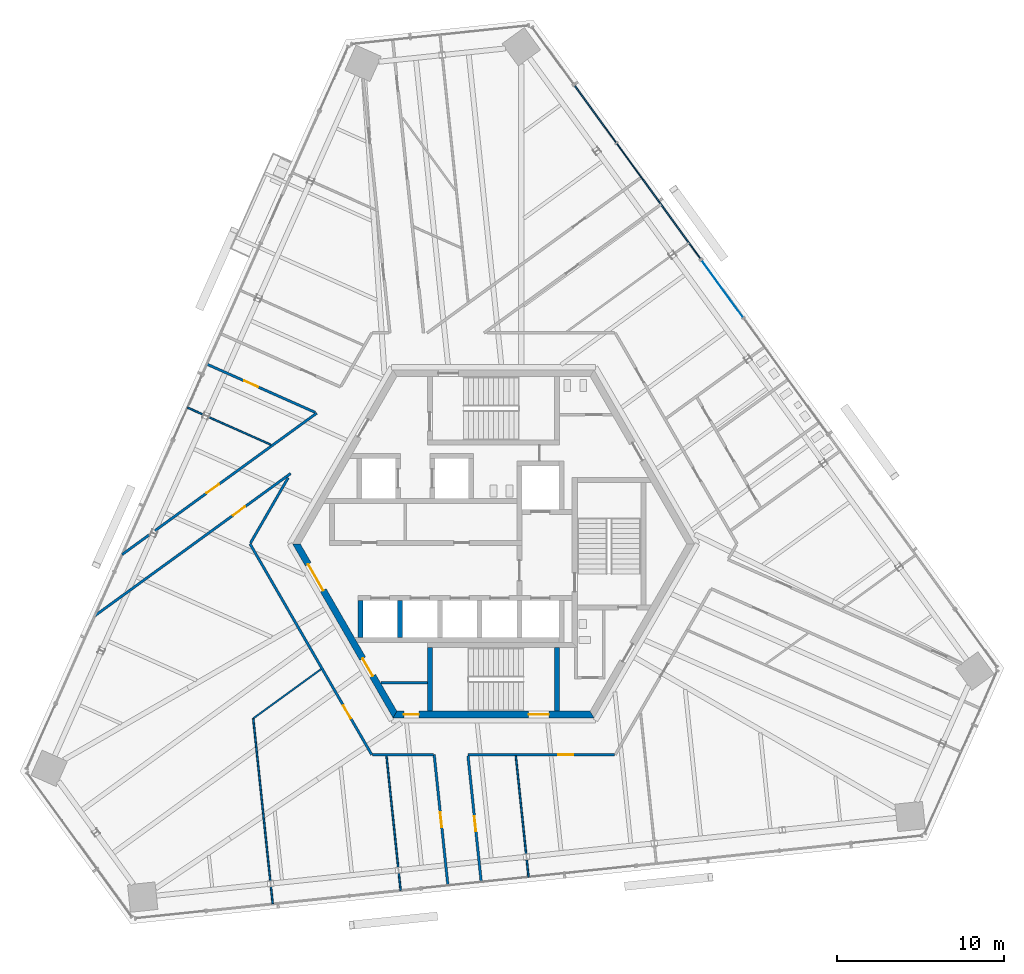
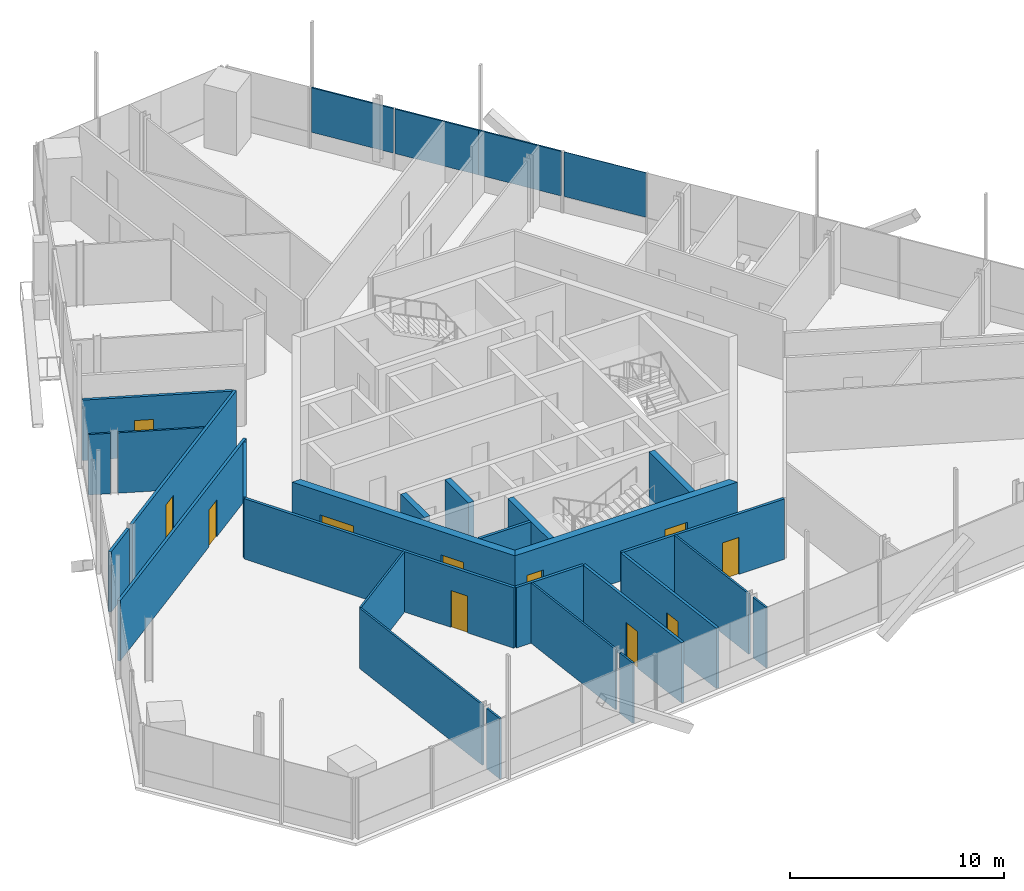
# One storey, part 11 of 21: 26 walls, 11 doors, 4 plates, 11 openings, 2 elements without a shape of their own.
"""IFC4 building model written with IfcOpenShell, lengths in metres."""

import ifcopenshell
import ifcopenshell.guid

model = None  # the IFC model being written
_history = None  # IfcOwnerHistory: only IFC2X3 demands one
_inside = {}  # id of a spatial element -> (the spatial element, [elements in it])
_under = {}  # id of a project, library or spatial element -> (it, [spatial elements below it])
_declared = {}  # id of a project -> (the project, [libraries it declares])
_typed = {}  # id of a type object -> (the type object, [elements of that type])
_made_of = {}  # id of a material, layer set ... -> (it, [elements and type objects made of it])


def new_model(schema):
    """Start an empty IFC model of exactly this schema.

    Asked for "IFC4X3", IfcOpenShell would pick the latest addendum, in which some entities
    have other attributes; the version numbers below select the first issue.
    IFC2X3 requires an IfcOwnerHistory on every rooted entity: one is made here for all.
    """
    global model, _history
    if schema == "IFC4X3":
        model = ifcopenshell.file(schema_version=(4, 3, 0, 0))
    else:
        model = ifcopenshell.file(schema=schema)
    _inside.clear()
    _under.clear()
    _declared.clear()
    _typed.clear()
    _made_of.clear()
    _history = None
    if model.schema == "IFC2X3":
        org = make("IfcOrganization", Name="unknown")
        user = make(
            "IfcPersonAndOrganization",
            ThePerson=make("IfcPerson", FamilyName="unknown"),
            TheOrganization=org,
        )
        app = make(
            "IfcApplication",
            ApplicationDeveloper=org,
            Version="unknown",
            ApplicationFullName="unknown",
            ApplicationIdentifier="unknown",
        )
        _history = make(
            "IfcOwnerHistory",
            OwningUser=user,
            OwningApplication=app,
            ChangeAction="ADDED",
            CreationDate=0,
        )
    return model


def make(cls, **values):
    """One entity of the class cls with the attributes given. An attribute that is None is left unset."""
    return model.create_entity(
        cls, **{name: value for name, value in values.items() if value is not None}
    )


def rooted(cls, **values):
    """An entity with a GlobalId (a new one), such as an element, a storey or a relation."""
    return make(cls, GlobalId=ifcopenshell.guid.new(), OwnerHistory=_history, **values)


def si_unit(unit_type, name, prefix=None):
    """IfcSIUnit, for example si_unit("LENGTHUNIT", "METRE", prefix="MILLI")."""
    return make("IfcSIUnit", UnitType=unit_type, Prefix=prefix, Name=name)


def assignment(units):
    """IfcUnitAssignment: the units of a project."""
    return None if units is None else make("IfcUnitAssignment", Units=units)


def point(xyz):
    """IfcCartesianPoint."""
    return None if xyz is None else make("IfcCartesianPoint", Coordinates=xyz)


def direction(xyz):
    """IfcDirection."""
    return None if xyz is None else make("IfcDirection", DirectionRatios=xyz)


def frame(location, z_axis=None, x_axis=None):
    """IfcAxis2Placement3D, a coordinate frame: its origin and axes. An axis left out is left unset."""
    return make(
        "IfcAxis2Placement3D",
        Location=point(location),
        Axis=direction(z_axis),
        RefDirection=direction(x_axis),
    )


def frame_2d(location, x_axis=None):
    """IfcAxis2Placement2D, a coordinate frame in the plane: its origin and x axis."""
    return make(
        "IfcAxis2Placement2D", Location=point(location), RefDirection=direction(x_axis)
    )


def origin():
    """The frame at (0, 0, 0) with its axes left unset."""
    return frame((0.0, 0.0, 0.0))


def origin_2d():
    """The frame at (0, 0) in the plane with its x axis left unset."""
    return frame_2d((0.0, 0.0))


def place(relative_to, where):
    """IfcLocalPlacement: puts the frame where relative to a parent placement (None: the world)."""
    return make(
        "IfcLocalPlacement", PlacementRelTo=relative_to, RelativePlacement=where
    )


def context(
    kind, dimensions, precision=None, world=None, true_north=None, identifier=None
):
    """IfcGeometricRepresentationContext, for example the 3D "Model" context."""
    return make(
        "IfcGeometricRepresentationContext",
        ContextIdentifier=identifier,
        ContextType=kind,
        CoordinateSpaceDimension=dimensions,
        Precision=precision,
        WorldCoordinateSystem=world,
        TrueNorth=true_north,
    )


def subcontext(parent, identifier, kind, view, scale=None):
    """IfcGeometricRepresentationSubContext, for example "Body" below "Model"."""
    return make(
        "IfcGeometricRepresentationSubContext",
        ContextIdentifier=identifier,
        ContextType=kind,
        ParentContext=parent,
        TargetScale=scale,
        TargetView=view,
    )


def project(units=None, contexts=None):
    """IfcProject with its units and contexts."""
    return rooted(
        "IfcProject",
        Name="project",
        RepresentationContexts=contexts,
        UnitsInContext=assignment(units),
    )


def spatial(cls, under=None, at=None, **own):
    """A site, building, storey or space (cls), placed at a placement, below another one or the project."""
    s = rooted(cls, ObjectPlacement=at, **own)
    if under is not None:
        _under.setdefault(under.id(), (under, []))[1].append(s)
    return s


def polyline(points):
    """IfcPolyline through the points."""
    return make("IfcPolyline", Points=[point(p) for p in points])


def profile(cls, at=None, kind="AREA", **sizes):
    """A parametric profile (cls). Its sizes go by their IFC names, for example OverallWidth=200.0."""
    return make(cls, ProfileType=kind, Position=at, **sizes)


def rectangle(**sizes):
    """IfcRectangleProfileDef."""
    return profile("IfcRectangleProfileDef", **sizes)


def outline(outer, holes=None, kind="AREA"):
    """IfcArbitraryClosedProfileDef: a profile drawn as a closed curve; with holes, ...WithVoids."""
    if holes is None:
        return make("IfcArbitraryClosedProfileDef", ProfileType=kind, OuterCurve=outer)
    return make(
        "IfcArbitraryProfileDefWithVoids",
        ProfileType=kind,
        OuterCurve=outer,
        InnerCurves=holes,
    )


def extrude(swept, where, along, depth):
    """IfcExtrudedAreaSolid: the profile swept, set in the frame where, extruded along a direction by depth."""
    return make(
        "IfcExtrudedAreaSolid",
        SweptArea=swept,
        Position=where,
        ExtrudedDirection=direction(along),
        Depth=depth,
    )


def shape(context_of_items, identifier, shape_type, items):
    """IfcShapeRepresentation: the items that make up one representation, for example the "Body"."""
    return make(
        "IfcShapeRepresentation",
        ContextOfItems=context_of_items,
        RepresentationIdentifier=identifier,
        RepresentationType=shape_type,
        Items=items,
    )


def source(mapping_origin, context_of_items, identifier, shape_type, items):
    """IfcRepresentationMap: a shape defined once, which mapped items show again and again."""
    return make(
        "IfcRepresentationMap",
        MappingOrigin=mapping_origin,
        MappedRepresentation=shape(context_of_items, identifier, shape_type, items),
    )


def transform(
    local_origin,
    x_axis=None,
    y_axis=None,
    z_axis=None,
    scale=None,
    scale2=None,
    scale3=None,
    uniform=True,
):
    """IfcCartesianTransformationOperator3D, or its non-uniform kind. x_axis, y_axis, z_axis: its Axis1, 2, 3."""
    if uniform:
        return make(
            "IfcCartesianTransformationOperator3D",
            Axis1=direction(x_axis),
            Axis2=direction(y_axis),
            LocalOrigin=point(local_origin),
            Scale=scale,
            Axis3=direction(z_axis),
        )
    return make(
        "IfcCartesianTransformationOperator3DnonUniform",
        Axis1=direction(x_axis),
        Axis2=direction(y_axis),
        LocalOrigin=point(local_origin),
        Scale=scale,
        Axis3=direction(z_axis),
        Scale2=scale2,
        Scale3=scale3,
    )


def mapped(mapping_source, mapping_target):
    """IfcMappedItem: shows the shape of a source again, moved by a transform."""
    return make(
        "IfcMappedItem", MappingSource=mapping_source, MappingTarget=mapping_target
    )


def material(Name=None, Category=None):
    """IfcMaterial."""
    return make("IfcMaterial", Name=Name, Category=Category)


def layer(
    of_material, thickness, ventilated=None, Name=None, Category=None, Priority=None
):
    """IfcMaterialLayer: one layer of a wall or slab, of a material (None: an air gap)."""
    return make(
        "IfcMaterialLayer",
        Material=of_material,
        LayerThickness=thickness,
        IsVentilated=ventilated,
        Name=Name,
        Category=Category,
        Priority=Priority,
    )


def layer_set(layers, Name=None):
    """IfcMaterialLayerSet."""
    return make("IfcMaterialLayerSet", MaterialLayers=layers, LayerSetName=Name)


def made_of(thing, what):
    """Note that an element or type object is made of a material, layer set ...; save() writes the relation."""
    if what is not None:
        _made_of.setdefault(what.id(), (what, []))[1].append(thing)
    return thing


def type_object(cls, material=None, **own):
    """A type object (cls), such as IfcWallType, which elements share."""
    return made_of(rooted(cls, **own), material)


def element(
    cls,
    number,
    at=None,
    inside=None,
    cuts=None,
    type_object=None,
    material=None,
    context=None,
    identifier="Body",
    shape_type=None,
    held_by="IfcProductDefinitionShape",
    body=None,
    shapes=None,
    **own,
):
    """One element of the class cls, such as IfcWall. Its Tag is "e" and its number.

    at: its placement. inside: the storey or other place that contains it. cuts: it is an
    opening in that element (IfcRelVoidsElement). A single representation is given by context,
    identifier, shape_type and body (its items); several are given by shapes. held_by: the class
    of the entity that holds the representations. save() writes the other relations.
    """
    e = rooted(cls, Tag="e%d" % number, ObjectPlacement=at, **own)
    if body is not None:
        shapes = [shape(context, identifier, shape_type, body)]
    if shapes is not None:
        e.Representation = make(held_by, Representations=shapes)
    if inside is not None:
        _inside.setdefault(inside.id(), (inside, []))[1].append(e)
    if cuts is not None:
        rooted(
            "IfcRelVoidsElement", RelatingBuildingElement=cuts, RelatedOpeningElement=e
        )
    if type_object is not None:
        _typed.setdefault(type_object.id(), (type_object, []))[1].append(e)
    return made_of(e, material)


def fill(opening, filler):
    """IfcRelFillsElement: the door or window that sits in an opening."""
    return rooted(
        "IfcRelFillsElement",
        RelatingOpeningElement=opening,
        RelatedBuildingElement=filler,
    )


def aggregate(whole, parts):
    """IfcRelAggregates: a whole, such as a stair, and the parts it consists of."""
    return rooted("IfcRelAggregates", RelatingObject=whole, RelatedObjects=parts)


def save(model, path):
    """Write the relations noted so far, then the file.

    IfcRelAggregates (storeys below a building ...), IfcRelContainedInSpatialStructure (elements
    in a storey), IfcRelDefinesByType, IfcRelAssociatesMaterial and IfcRelDeclares: one each for
    every whole, place, type object, material and project.
    """
    for whole, parts in _under.values():
        aggregate(whole, parts)
    for where, things in _inside.values():
        rooted(
            "IfcRelContainedInSpatialStructure",
            RelatedElements=things,
            RelatingStructure=where,
        )
    for kind, things in _typed.values():
        rooted("IfcRelDefinesByType", RelatedObjects=things, RelatingType=kind)
    for what, things in _made_of.values():
        rooted("IfcRelAssociatesMaterial", RelatedObjects=things, RelatingMaterial=what)
    for by, libraries in _declared.values():
        rooted("IfcRelDeclares", RelatingContext=by, RelatedDefinitions=libraries)
    model.write(path)


model = new_model("IFC4")

# Units and contexts
model_context = context("Model", 3, precision=1e-05, world=origin(), true_north=direction((0.0, 1.0)))
body_context = subcontext(model_context, "Body", "Model", "MODEL_VIEW")
ifc_project = project(units=[si_unit("LENGTHUNIT", "METRE"), si_unit("AREAUNIT", "SQUARE_METRE"), si_unit("VOLUMEUNIT", "CUBIC_METRE"), si_unit("PLANEANGLEUNIT", "RADIAN"), si_unit("MASSUNIT", "GRAM", prefix="KILO")], contexts=[model_context])

# Site, building, storey
site_placement = place(None, origin())
site = spatial("IfcSite", under=ifc_project, at=site_placement, CompositionType="ELEMENT")
building_placement = place(site_placement, origin())
building = spatial("IfcBuilding", under=site, at=building_placement, Name="Triune Harvest Tower", CompositionType="ELEMENT")
storey_placement = place(building_placement, frame((0.0, 0.0, 241.300048828125)))
storey = spatial("IfcBuildingStorey", under=building, at=storey_placement, Name="L63", CompositionType="ELEMENT", Elevation=241.300048828125)

# Curtain wall, plates
ifc_material_1 = material(Name="Aluminium bronze anodised", Category="aluminium")
curtain_wall_type_1 = type_object("IfcCurtainWallType", Name="CW-7 Tower stick curtain wall with insulated spandrel infill", PredefinedType="NOTDEFINED", material=ifc_material_1)
curtain_wall_1_placement = place(storey_placement, origin())
curtain_wall_1 = element("IfcCurtainWall", 1, at=curtain_wall_1_placement, inside=storey, type_object=curtain_wall_type_1, Name="CW-7 B6-F1 L63 run 3001")
ifc_material_2 = material(Name="Insulated spandrel panel, bronze aluminium pan", Category="aluminium")
ifc_layer_1 = layer(ifc_material_2, 0.080078125)
ifc_layer_set_1 = layer_set([ifc_layer_1], Name="Insulated spandrel panel, bronze aluminium pan")
plate_type_1 = type_object("IfcPlateType", Name="SP-1 insulated spandrel panel 80", PredefinedType="CURTAIN_PANEL", material=ifc_layer_set_1)
shared_shape_1 = source(origin(), body_context, "Body", "SweptSolid", [
    extrude(rectangle(XDim=4.22509765625, YDim=0.080078125, at=origin_2d()), origin(), (0.0, 0.0, 1.0), 2.5400390625),
])
plate_1_placement = place(storey_placement, frame((11.106201171875, 18.74560546875, 0.89990234375), z_axis=(0.0, 0.0, 1.0), x_axis=(-0.587785838852, 0.809016568214, 0.0)))
plate_1 = element("IfcPlate", 2, at=plate_1_placement, type_object=plate_type_1, Name="CW-7 panel B6-F1 3001.1", PredefinedType="CURTAIN_PANEL", context=body_context, shape_type="MappedRepresentation", body=[
    mapped(shared_shape_1, transform((0.0, 0.0, 0.0), scale=1.0)),
])
shared_shape_2 = source(origin(), body_context, "Body", "SweptSolid", [
    extrude(rectangle(XDim=4.262451171875, YDim=0.080078125, at=origin_2d()), origin(), (0.0, 0.0, 1.0), 2.5400390625),
])
plate_2_placement = place(storey_placement, frame((8.61181640625, 22.178955078125, 0.89990234375), z_axis=(0.0, 0.0, 1.0), x_axis=(-0.587785838852, 0.809016568214, 0.0)))
plate_2 = element("IfcPlate", 3, at=plate_2_placement, type_object=plate_type_1, Name="CW-7 panel B6-F1 3001.2", PredefinedType="CURTAIN_PANEL", context=body_context, shape_type="MappedRepresentation", body=[
    mapped(shared_shape_2, transform((0.0, 0.0, 0.0), scale=1.0)),
])

# Curtain wall, plate
ifc_material_3 = material(Name="Aluminium bronze anodised", Category="aluminium")
curtain_wall_type_2 = type_object("IfcCurtainWallType", Name="CW-1 Tower stick curtain wall", PredefinedType="NOTDEFINED", material=ifc_material_3)
curtain_wall_2_placement = place(storey_placement, origin())
curtain_wall_2 = element("IfcCurtainWall", 4, at=curtain_wall_2_placement, inside=storey, type_object=curtain_wall_type_2, Name="CW-1 B6-F1 L63 run 2001")
ifc_material_4 = material(Name="Glass", Category="glass")
ifc_layer_2 = layer(ifc_material_4, 0.031982421875)
ifc_layer_set_2 = layer_set([ifc_layer_2], Name="Glass")
plate_type_2 = type_object("IfcPlateType", Name="GL-1 panel 32", PredefinedType="CURTAIN_PANEL", material=ifc_layer_set_2)
shared_shape_3 = source(origin(), body_context, "Body", "SweptSolid", [
    extrude(rectangle(XDim=4.1875, YDim=0.031982421875, at=origin_2d()), origin(), (0.0, 0.0, 1.0), 2.5400390625),
])
plate_3_placement = place(storey_placement, frame((13.666748046875, 15.221435546875, 0.89990234375), z_axis=(0.0, 0.0, 1.0), x_axis=(-0.587784451405, 0.809017576253, 0.0)))
plate_3 = element("IfcPlate", 5, at=plate_3_placement, type_object=plate_type_2, Name="CW-1 panel B6-F1 2001.3", PredefinedType="CURTAIN_PANEL", context=body_context, shape_type="MappedRepresentation", body=[
    mapped(shared_shape_3, transform((0.0, 0.0, 0.0), scale=1.0)),
])
aggregate(curtain_wall_2, [plate_3])

# Plate
shared_shape_4 = source(origin(), body_context, "Body", "SweptSolid", [
    extrude(rectangle(XDim=4.1875, YDim=0.080078125, at=origin_2d()), origin(), (0.0, 0.0, 1.0), 2.5400390625),
])
plate_4_placement = place(storey_placement, frame((6.084228515625, 25.65771484375, 0.89990234375), z_axis=(0.0, 0.0, 1.0), x_axis=(-0.587785838852, 0.809016568214, 0.0)))
plate_4 = element("IfcPlate", 6, at=plate_4_placement, type_object=plate_type_1, Name="CW-7 panel B6-F1 3001.3", PredefinedType="CURTAIN_PANEL", context=body_context, shape_type="MappedRepresentation", body=[
    mapped(shared_shape_4, transform((0.0, 0.0, 0.0), scale=1.0)),
])

aggregate(curtain_wall_1, [plate_1, plate_2, plate_4])

# Wall, opening, door
ifc_material_5 = material(Name="Gypsum board on steel studs", Category="steel")
ifc_layer_3 = layer(ifc_material_5, 0.14990234375)
ifc_layer_set_3 = layer_set([ifc_layer_3], Name="Gypsum board on steel studs")
wall_type_1 = type_object("IfcWallType", Name="Fire Partition 150 mm", PredefinedType="PARTITIONING", material=ifc_layer_set_3)
wall_1_placement = place(storey_placement, frame((-1.525634765625, -12.652099609375, 0.0), z_axis=(0.0, 0.0, 1.0), x_axis=(0.104515447548, -0.994523263289, 0.0)))
wall_1 = element("IfcWall", 7, at=wall_1_placement, inside=storey, type_object=wall_type_1, Name="Partition L63 008", PredefinedType="PARTITIONING", context=body_context, shape_type="SweptSolid", body=[
    extrude(rectangle(XDim=7.580078125, YDim=0.14990234375, at=frame_2d((3.7900390625, 0.0))), origin(), (0.0, 0.0, 1.0), 3.43994140625),
])
opening_1_placement = place(wall_1_placement, frame((3.63037109375, 0.0, 0.0)))
opening_1 = element("IfcOpeningElement", 8, at=opening_1_placement, cuts=wall_1, Name="Opening L63-022", PredefinedType="OPENING", context=body_context, shape_type="SweptSolid", body=[
    extrude(rectangle(XDim=0.89990234375, YDim=2.10009765625, at=frame_2d((0.449951171875, 1.050048828125))), frame((0.0, 0.0849609375, 0.0), z_axis=(0.0, -1.0, 0.0), x_axis=(1.0, 0.0, 0.0)), (0.0, 0.0, 1.0), 0.169921875),
])
ifc_material_6 = material(Name="Timber and steel door set", Category="steel")
door_type_1 = type_object("IfcDoorType", Name="Single leaf door FD30 right hand 900 x 2100", OperationType="SINGLE_SWING_RIGHT", PredefinedType="DOOR", material=ifc_material_6)
door_1_placement = place(opening_1_placement, origin())
door_1 = element("IfcDoor", 9, at=door_1_placement, inside=storey, type_object=door_type_1, Name="Door L63-022 Meeting Room 63.22", OperationType="SINGLE_SWING_RIGHT", OverallHeight=2.10009765625, OverallWidth=0.89990234375, PredefinedType="DOOR", context=body_context, shape_type="SweptSolid", body=[
    extrude(rectangle(XDim=0.89990234375, YDim=2.10009765625, at=frame_2d((0.449951171875, 1.050048828125))), frame((0.0, 0.02490234375, 0.0), z_axis=(0.0, -1.0, 0.0), x_axis=(1.0, 0.0, 0.0)), (0.0, 0.0, 1.0), 0.050048828125),
])
fill(opening_1, door_1)

wall_2_placement = place(storey_placement, frame((-17.118896484375, 10.73046875, 0.0), z_axis=(0.0, 0.0, 1.0), x_axis=(0.913533931173, -0.406762530964, 0.0)))
wall_2 = element("IfcWall", 10, at=wall_2_placement, inside=storey, type_object=wall_type_1, Name="Partition L63 023", PredefinedType="PARTITIONING", context=body_context, shape_type="SweptSolid", body=[
    extrude(rectangle(XDim=7.076904296875, YDim=0.14990234375, at=frame_2d((3.53857421875, 0.0))), origin(), (0.0, 0.0, 1.0), 3.43994140625),
])
opening_2_placement = place(wall_2_placement, frame((2.449951171875, 0.0, 0.0)))
opening_2 = element("IfcOpeningElement", 11, at=opening_2_placement, cuts=wall_2, Name="Opening L63-016", PredefinedType="OPENING", context=body_context, shape_type="SweptSolid", body=[
    extrude(rectangle(XDim=0.89990234375, YDim=2.10009765625, at=frame_2d((0.449951171875, 1.050048828125))), frame((0.0, 0.0849609375, 0.0), z_axis=(0.0, -1.0, 0.0), x_axis=(1.0, 0.0, 0.0)), (0.0, 0.0, 1.0), 0.169921875),
])
door_2_placement = place(opening_2_placement, origin())
door_2 = element("IfcDoor", 12, at=door_2_placement, inside=storey, type_object=door_type_1, Name="Door L63-016 Meeting Room 63.16", OperationType="SINGLE_SWING_RIGHT", OverallHeight=2.10009765625, OverallWidth=0.89990234375, PredefinedType="DOOR", context=body_context, shape_type="SweptSolid", body=[
    extrude(rectangle(XDim=0.89990234375, YDim=2.10009765625, at=frame_2d((0.449951171875, 1.050048828125))), frame((0.0, 0.02490234375, 0.0), z_axis=(0.0, -1.0, 0.0), x_axis=(1.0, 0.0, 0.0)), (0.0, 0.0, 1.0), 0.050048828125),
])
fill(opening_2, door_2)

# Wall
wall_3_placement = place(storey_placement, frame((-7.22021484375, -12.59228515625, 0.0), z_axis=(0.0, 0.0, 1.0), x_axis=(1.0, 0.0, 0.0)))
element("IfcWall", 13, at=wall_3_placement, inside=storey, type_object=wall_type_1, Name="Partition L63 032", PredefinedType="PARTITIONING", context=body_context, shape_type="SweptSolid", body=[
    extrude(rectangle(XDim=3.627197265625, YDim=0.14990234375, at=frame_2d((1.8134765625, 0.0))), origin(), (0.0, 0.0, 1.0), 3.43994140625),
])

# Wall, opening, door
wall_4_placement = place(storey_placement, frame((-1.531982421875, -12.59228515625, 0.0), z_axis=(0.0, 0.0, 1.0), x_axis=(1.0, 0.0, 0.0)))
wall_4 = element("IfcWall", 14, at=wall_4_placement, inside=storey, type_object=wall_type_1, Name="Partition L63 033", PredefinedType="PARTITIONING", context=body_context, shape_type="SweptSolid", body=[
    extrude(rectangle(XDim=8.752197265625, YDim=0.14990234375, at=frame_2d((4.3759765625, 0.0))), origin(), (0.0, 0.0, 1.0), 3.43994140625),
])
opening_3_placement = place(wall_4_placement, frame((5.405517578125, 0.0, 0.0)))
opening_3 = element("IfcOpeningElement", 15, at=opening_3_placement, cuts=wall_4, Name="Opening L63-023", PredefinedType="OPENING", context=body_context, shape_type="SweptSolid", body=[
    extrude(rectangle(XDim=0.89990234375, YDim=2.10009765625, at=frame_2d((0.449951171875, 1.050048828125))), frame((0.0, 0.0849609375, 0.0), z_axis=(0.0, -1.0, 0.0), x_axis=(1.0, 0.0, 0.0)), (0.0, 0.0, 1.0), 0.169921875),
])
ifc_material_7 = material(Name="Timber and steel door set", Category="steel")
door_type_2 = type_object("IfcDoorType", Name="Single leaf door FD30 left hand 900 x 2100", OperationType="SINGLE_SWING_LEFT", PredefinedType="DOOR", material=ifc_material_7)
door_3_placement = place(opening_3_placement, origin())
door_3 = element("IfcDoor", 16, at=door_3_placement, inside=storey, type_object=door_type_2, Name="Door L63-023 Project Room 63.23", OperationType="SINGLE_SWING_LEFT", OverallHeight=2.10009765625, OverallWidth=0.89990234375, PredefinedType="DOOR", context=body_context, shape_type="SweptSolid", body=[
    extrude(rectangle(XDim=0.89990234375, YDim=2.10009765625, at=frame_2d((0.449951171875, 1.050048828125))), frame((0.0, 0.02490234375, 0.0), z_axis=(0.0, -1.0, 0.0), x_axis=(1.0, 0.0, 0.0)), (0.0, 0.0, 1.0), 0.050048828125),
])
fill(opening_3, door_3)

wall_5_placement = place(storey_placement, frame((-23.809326171875, -4.2958984375, 0.0), z_axis=(0.0, 0.0, 1.0), x_axis=(0.809024496195, 0.587774926784, 0.0)))
wall_5 = element("IfcWall", 17, at=wall_5_placement, inside=storey, type_object=wall_type_1, Name="Partition L63 048", PredefinedType="PARTITIONING", context=body_context, shape_type="SweptSolid", body=[
    extrude(rectangle(XDim=14.454345703125, YDim=0.14990234375, at=frame_2d((7.22705078125, 0.0))), origin(), (0.0, 0.0, 1.0), 3.43994140625),
])
opening_4_placement = place(wall_5_placement, frame((10.196533203125, 0.0, 0.0)))
opening_4 = element("IfcOpeningElement", 18, at=opening_4_placement, cuts=wall_5, Name="Opening L63-018", PredefinedType="OPENING", context=body_context, shape_type="SweptSolid", body=[
    extrude(rectangle(XDim=0.89990234375, YDim=2.10009765625, at=frame_2d((0.449951171875, 1.050048828125))), frame((0.0, 0.0849609375, 0.0), z_axis=(0.0, -1.0, 0.0), x_axis=(1.0, 0.0, 0.0)), (0.0, 0.0, 1.0), 0.169921875),
])
door_4_placement = place(opening_4_placement, origin())
door_4 = element("IfcDoor", 19, at=door_4_placement, inside=storey, type_object=door_type_2, Name="Door L63-018 Open Office 63.18", OperationType="SINGLE_SWING_LEFT", OverallHeight=2.10009765625, OverallWidth=0.89990234375, PredefinedType="DOOR", context=body_context, shape_type="SweptSolid", body=[
    extrude(rectangle(XDim=0.89990234375, YDim=2.10009765625, at=frame_2d((0.449951171875, 1.050048828125))), frame((0.0, 0.02490234375, 0.0), z_axis=(0.0, -1.0, 0.0), x_axis=(1.0, 0.0, 0.0)), (0.0, 0.0, 1.0), 0.050048828125),
])
fill(opening_4, door_4)

# Wall
wall_6_placement = place(storey_placement, frame((-22.182373046875, -0.641845703125, 0.0), z_axis=(0.0, 0.0, 1.0), x_axis=(0.809023161405, 0.58777676401, 0.0)))
element("IfcWall", 20, at=wall_6_placement, inside=storey, type_object=wall_type_1, Name="Partition L63 050", PredefinedType="PARTITIONING", context=body_context, shape_type="SweptSolid", body=[
    extrude(rectangle(XDim=2.095458984375, YDim=0.14990234375, at=frame_2d((1.0478515625, 0.0))), origin(), (0.0, 0.0, 1.0), 3.43994140625),
])

# Wall, opening, door
wall_7_placement = place(storey_placement, frame((-20.21728515625, 0.785888671875, 0.0), z_axis=(0.0, 0.0, 1.0), x_axis=(0.809014398273, 0.587788825504, 0.0)))
wall_7 = element("IfcWall", 21, at=wall_7_placement, inside=storey, type_object=wall_type_1, Name="Partition L63 051", PredefinedType="PARTITIONING", context=body_context, shape_type="SweptSolid", body=[
    extrude(rectangle(XDim=11.945068359375, YDim=0.14990234375, at=frame_2d((5.97265625, 0.0))), origin(), (0.0, 0.0, 1.0), 3.43994140625),
])
opening_5_placement = place(wall_7_placement, frame((3.81640625, 0.0, 0.0)))
opening_5 = element("IfcOpeningElement", 22, at=opening_5_placement, cuts=wall_7, Name="Opening L63-019", PredefinedType="OPENING", context=body_context, shape_type="SweptSolid", body=[
    extrude(rectangle(XDim=0.89990234375, YDim=2.10009765625, at=frame_2d((0.449951171875, 1.050048828125))), frame((0.0, 0.0849609375, 0.0), z_axis=(0.0, -1.0, 0.0), x_axis=(1.0, 0.0, 0.0)), (0.0, 0.0, 1.0), 0.169921875),
])
door_5_placement = place(opening_5_placement, origin())
door_5 = element("IfcDoor", 23, at=door_5_placement, inside=storey, type_object=door_type_2, Name="Door L63-019 Dry Store Room 63.19", OperationType="SINGLE_SWING_LEFT", OverallHeight=2.10009765625, OverallWidth=0.89990234375, PredefinedType="DOOR", context=body_context, shape_type="SweptSolid", body=[
    extrude(rectangle(XDim=0.89990234375, YDim=2.10009765625, at=frame_2d((0.449951171875, 1.050048828125))), frame((0.0, 0.02490234375, 0.0), z_axis=(0.0, -1.0, 0.0), x_axis=(1.0, 0.0, 0.0)), (0.0, 0.0, 1.0), 0.050048828125),
])
fill(opening_5, door_5)

# Walls
wall_8_placement = place(storey_placement, frame((-14.51513671875, 0.04296875, 0.0), z_axis=(0.0, 0.0, 1.0), x_axis=(0.499972939495, 0.866041026611, 0.0)))
element("IfcWall", 24, at=wall_8_placement, inside=storey, type_object=wall_type_1, Name="Partition L63 055", PredefinedType="PARTITIONING", context=body_context, shape_type="SweptSolid", body=[
    extrude(rectangle(XDim=4.499755859375, YDim=0.14990234375, at=frame_2d((2.25, 0.0))), origin(), (0.0, 0.0, 1.0), 3.43994140625),
])
ifc_material_8 = material(Name="Gypsum board on steel studs", Category="steel")
ifc_layer_4 = layer(ifc_material_8, 0.10009765625)
ifc_layer_set_4 = layer_set([ifc_layer_4], Name="Gypsum board on steel studs")
wall_type_2 = type_object("IfcWallType", Name="Partition 100 mm", PredefinedType="PARTITIONING", material=ifc_layer_set_4)
wall_9_placement = place(storey_placement, frame((1.330078125, -12.652099609375, 0.0), z_axis=(0.0, 0.0, 1.0), x_axis=(0.104514565854, -0.994523355947, 0.0)))
element("IfcWall", 25, at=wall_9_placement, inside=storey, type_object=wall_type_2, Name="Partition L63 011", PredefinedType="PARTITIONING", context=body_context, shape_type="SweptSolid", body=[
    extrude(rectangle(XDim=5.898193359375, YDim=0.10009765625, at=frame_2d((2.94921875, 0.0))), origin(), (0.0, 0.0, 1.0), 3.43994140625),
])
wall_10_placement = place(storey_placement, frame((-17.01025390625, 7.57373046875, 0.0), z_axis=(0.0, 0.0, 1.0), x_axis=(0.913544489931, -0.406738816585, 0.0)))
element("IfcWall", 26, at=wall_10_placement, inside=storey, type_object=wall_type_2, Name="Partition L63 020", PredefinedType="PARTITIONING", context=body_context, shape_type="SweptSolid", body=[
    extrude(rectangle(XDim=4.074462890625, YDim=0.10009765625, at=frame_2d((2.037109375, 0.0))), origin(), (0.0, 0.0, 1.0), 3.43994140625),
])
wall_11_placement = place(storey_placement, frame((-14.33154296875, -10.41259765625, 0.0), z_axis=(0.0, 0.0, 1.0), x_axis=(0.809025659279, 0.587773325891, 0.0)))
element("IfcWall", 27, at=wall_11_placement, inside=storey, type_object=wall_type_2, Name="Partition L63 043", PredefinedType="PARTITIONING", context=body_context, shape_type="SweptSolid", body=[
    extrude(rectangle(XDim=4.9931640625, YDim=0.10009765625, at=frame_2d((2.49658203125, 0.0))), origin(), (0.0, 0.0, 1.0), 3.43994140625),
])

# Wall, openings, doors
ifc_material_9 = material(Name="Concrete 70 MPa", Category="concrete")
ifc_layer_5 = layer(ifc_material_9, 0.39990234375)
ifc_layer_set_5 = layer_set([ifc_layer_5], Name="Concrete 70 MPa")
wall_type_3 = type_object("IfcWallType", Name="Core wall 400", PredefinedType="SHEAR", material=ifc_layer_set_5)
shared_shape_5 = source(origin(), body_context, "Body", "SweptSolid", [
    extrude(outline(polyline([(-0.115478515625, -0.199951171875), (11.884521484375, -0.199951171875), (11.653564453125, 0.199951171875), (0.115478515625, 0.199951171875), (-0.115478515625, -0.199951171875)])), origin(), (0.0, 0.0, 1.0), 3.43994140625),
])
wall_12_placement = place(storey_placement, frame((-11.76904296875, 0.0, 0.0), z_axis=(0.0, 0.0, 1.0), x_axis=(0.499996592174, -0.866027371285, 0.0)))
wall_12 = element("IfcWall", 28, at=wall_12_placement, inside=storey, type_object=wall_type_3, Name="Hexagon 3 wall", PredefinedType="SHEAR", context=body_context, shape_type="MappedRepresentation", body=[
    mapped(shared_shape_5, transform((0.0, 0.0, 0.0), scale=1.0)),
])
opening_6_placement = place(wall_12_placement, frame((1.404541015625, 0.0, 0.0)))
opening_6 = element("IfcOpeningElement", 29, at=opening_6_placement, cuts=wall_12, Name="Opening CD-LS", PredefinedType="OPENING", context=body_context, shape_type="SweptSolid", body=[
    extrude(rectangle(XDim=1.800048828125, YDim=2.10009765625, at=frame_2d((0.89990234375, 1.050048828125))), frame((0.0, 0.2099609375, 0.0), z_axis=(0.0, -1.0, 0.0), x_axis=(1.0, 0.0, 0.0)), (0.0, 0.0, 1.0), 0.419921875),
])
opening_7_placement = place(wall_12_placement, frame((7.91455078125, 0.0, 0.0)))
opening_7 = element("IfcOpeningElement", 30, at=opening_7_placement, cuts=wall_12, Name="Opening CD-SWP", PredefinedType="OPENING", context=body_context, shape_type="SweptSolid", body=[
    extrude(rectangle(XDim=1.199951171875, YDim=2.10009765625, at=frame_2d((0.60009765625, 1.050048828125))), frame((0.0, 0.2099609375, 0.0), z_axis=(0.0, -1.0, 0.0), x_axis=(1.0, 0.0, 0.0)), (0.0, 0.0, 1.0), 0.419921875),
])
ifc_material_10 = material(Name="Steel S235", Category="steel")
door_type_3 = type_object("IfcDoorType", Name="Lobby door 1800 FD120", OperationType="DOUBLE_DOOR_DOUBLE_SWING", PredefinedType="DOOR", material=ifc_material_10)
door_6_placement = place(opening_6_placement, frame((1.800048828125, 0.0, 0.0), z_axis=(0.0, 0.0, 1.0), x_axis=(-1.0, 0.0, 0.0)))
door_6 = element("IfcDoor", 31, at=door_6_placement, inside=storey, type_object=door_type_3, Name="Door CD-LS", OperationType="DOUBLE_DOOR_DOUBLE_SWING", OverallHeight=2.10009765625, OverallWidth=1.800048828125, PredefinedType="DOOR", context=body_context, shape_type="SweptSolid", body=[
    extrude(rectangle(XDim=1.800048828125, YDim=2.10009765625, at=frame_2d((0.89990234375, 1.050048828125))), frame((0.0, 0.02490234375, 0.0), z_axis=(0.0, -1.0, 0.0), x_axis=(1.0, 0.0, 0.0)), (0.0, 0.0, 1.0), 0.050048828125),
])
fill(opening_6, door_6)
ifc_material_11 = material(Name="Steel S235", Category="steel")
door_type_4 = type_object("IfcDoorType", Name="Service door 1200 FD120", OperationType="SINGLE_SWING_LEFT", PredefinedType="DOOR", material=ifc_material_11)
door_7_placement = place(opening_7_placement, frame((1.199951171875, 0.0, 0.0), z_axis=(0.0, 0.0, 1.0), x_axis=(-1.0, 0.0, 0.0)))
door_7 = element("IfcDoor", 32, at=door_7_placement, inside=storey, type_object=door_type_4, Name="Door CD-SWP", OperationType="SINGLE_SWING_RIGHT", OverallHeight=2.10009765625, OverallWidth=1.199951171875, PredefinedType="DOOR", context=body_context, shape_type="SweptSolid", body=[
    extrude(rectangle(XDim=1.199951171875, YDim=2.10009765625, at=frame_2d((0.60009765625, 1.050048828125))), frame((0.0, 0.02490234375, 0.0), z_axis=(0.0, -1.0, 0.0), x_axis=(1.0, 0.0, 0.0)), (0.0, 0.0, 1.0), 0.050048828125),
])
fill(opening_7, door_7)

wall_13_placement = place(storey_placement, frame((-5.884521484375, -10.1923828125, 0.0), z_axis=(0.0, 0.0, 1.0), x_axis=(1.0, 0.0, 0.0)))
wall_13 = element("IfcWall", 33, at=wall_13_placement, inside=storey, type_object=wall_type_3, Name="Hexagon 4 wall", PredefinedType="SHEAR", context=body_context, shape_type="MappedRepresentation", body=[
    mapped(shared_shape_5, transform((0.0, 0.0, 0.0), scale=1.0)),
])
opening_8_placement = place(wall_13_placement, frame((7.984619140625, 0.0, 0.0)))
opening_8 = element("IfcOpeningElement", 34, at=opening_8_placement, cuts=wall_13, Name="Opening CD-S2P", PredefinedType="OPENING", context=body_context, shape_type="SweptSolid", body=[
    extrude(rectangle(XDim=1.199951171875, YDim=2.10009765625, at=frame_2d((0.60009765625, 1.050048828125))), frame((0.0, 0.2099609375, 0.0), z_axis=(0.0, -1.0, 0.0), x_axis=(1.0, 0.0, 0.0)), (0.0, 0.0, 1.0), 0.419921875),
])
opening_9_placement = place(wall_13_placement, frame((0.534423828125, 0.0, 0.0)))
opening_9 = element("IfcOpeningElement", 35, at=opening_9_placement, cuts=wall_13, Name="Opening CD-SWS", PredefinedType="OPENING", context=body_context, shape_type="SweptSolid", body=[
    extrude(rectangle(XDim=0.89990234375, YDim=2.10009765625, at=frame_2d((0.449951171875, 1.050048828125))), frame((0.0, 0.2099609375, 0.0), z_axis=(0.0, -1.0, 0.0), x_axis=(1.0, 0.0, 0.0)), (0.0, 0.0, 1.0), 0.419921875),
])
ifc_material_12 = material(Name="Steel S235", Category="steel")
door_type_5 = type_object("IfcDoorType", Name="Riser door 900 FD120", OperationType="SINGLE_SWING_LEFT", PredefinedType="DOOR", material=ifc_material_12)
door_8_placement = place(opening_9_placement, frame((0.89990234375, 0.0, 0.0), z_axis=(0.0, 0.0, 1.0), x_axis=(-1.0, 0.0, 0.0)))
door_8 = element("IfcDoor", 36, at=door_8_placement, inside=storey, type_object=door_type_5, Name="Door CD-SWS", OperationType="SINGLE_SWING_RIGHT", OverallHeight=2.10009765625, OverallWidth=0.89990234375, PredefinedType="DOOR", context=body_context, shape_type="SweptSolid", body=[
    extrude(rectangle(XDim=0.89990234375, YDim=2.10009765625, at=frame_2d((0.449951171875, 1.050048828125))), frame((0.0, 0.02490234375, 0.0), z_axis=(0.0, -1.0, 0.0), x_axis=(1.0, 0.0, 0.0)), (0.0, 0.0, 1.0), 0.050048828125),
])
fill(opening_9, door_8)
ifc_material_13 = material(Name="Steel S235", Category="steel")
door_type_6 = type_object("IfcDoorType", Name="Stair door 1200 FD120", OperationType="SINGLE_SWING_LEFT", PredefinedType="DOOR", material=ifc_material_13)
door_9_placement = place(opening_8_placement, frame((1.199951171875, 0.0, 0.0), z_axis=(0.0, 0.0, 1.0), x_axis=(-1.0, 0.0, 0.0)))
door_9 = element("IfcDoor", 37, at=door_9_placement, inside=storey, type_object=door_type_6, Name="Door CD-S2P", OperationType="SINGLE_SWING_RIGHT", OverallHeight=2.10009765625, OverallWidth=1.199951171875, PredefinedType="DOOR", context=body_context, shape_type="SweptSolid", body=[
    extrude(rectangle(XDim=1.199951171875, YDim=2.10009765625, at=frame_2d((0.60009765625, 1.050048828125))), frame((0.0, 0.02490234375, 0.0), z_axis=(0.0, -1.0, 0.0), x_axis=(1.0, 0.0, 0.0)), (0.0, 0.0, 1.0), 0.050048828125),
])
fill(opening_8, door_9)

# Walls
ifc_material_14 = material(Name="Concrete 70 MPa", Category="concrete")
ifc_layer_6 = layer(ifc_material_14, 0.300048828125)
ifc_layer_set_6 = layer_set([ifc_layer_6], Name="Concrete 70 MPa")
wall_type_4 = type_object("IfcWallType", Name="Core wall 300", PredefinedType="SHEAR", material=ifc_layer_set_6)
shared_shape_6 = source(origin(), body_context, "Body", "SweptSolid", [
    extrude(rectangle(XDim=2.2001953125, YDim=0.300048828125, at=frame_2d((1.10009765625, 0.0))), origin(), (0.0, 0.0, 1.0), 3.43994140625),
])
for number, where, z_axis, x_axis, name in (
    (38, (-7.949951171875, -5.590087890625, 0.0), (0.0, 0.0, 1.0), (0.0, 1.0, 0.0), "South end west wall"),
    (39, (-5.574951171875, -5.590087890625, 0.0), (0.0, 0.0, 1.0), (0.0, 1.0, 0.0), "South cross 1 wall"),
):
    element("IfcWall", number, at=place(storey_placement, frame(where, z_axis=z_axis, x_axis=x_axis)), inside=storey, type_object=wall_type_4, Name=name, PredefinedType="SHEAR", context=body_context, shape_type="MappedRepresentation", body=[
        mapped(shared_shape_6, transform((0.0, 0.0, 0.0), scale=1.0)),
    ])
shared_shape_7 = source(origin(), body_context, "Body", "SweptSolid", [
    extrude(outline(polyline([(3.800048828125, -0.14990234375), (-0.00439453125, -0.14990234375), (-0.00439453125, 0.14990234375), (3.800048828125, 0.14990234375), (3.800048828125, -0.14990234375)])), origin(), (0.0, 0.0, 1.0), 3.43994140625),
])
for number, where, z_axis, x_axis, name in (
    (40, (-3.800048828125, -9.989990234375, 0.0), (0.0, 0.0, 1.0), (0.0, 1.0, 0.0), "Stair s west wall"),
    (41, (3.800048828125, -9.989990234375, 0.0), (0.0, 0.0, 1.0), (0.0, 1.0, 0.0), "Stair s east wall"),
):
    element("IfcWall", number, at=place(storey_placement, frame(where, z_axis=z_axis, x_axis=x_axis)), inside=storey, type_object=wall_type_4, Name=name, PredefinedType="SHEAR", context=body_context, shape_type="MappedRepresentation", body=[
        mapped(shared_shape_7, transform((0.0, 0.0, 0.0), scale=1.0)),
    ])
ifc_material_15 = material(Name="Concrete masonry unit", Category="masonry")
ifc_layer_7 = layer(ifc_material_15, 0.14990234375)
ifc_layer_set_7 = layer_set([ifc_layer_7], Name="Concrete masonry unit")
wall_type_5 = type_object("IfcWallType", Name="Block partition 150", PredefinedType="PARTITIONING", material=ifc_layer_set_7)
shared_shape_8 = source(origin(), body_context, "Body", "SweptSolid", [
    extrude(rectangle(XDim=2.777099609375, YDim=0.14990234375, at=frame_2d((1.388671875, 0.0))), origin(), (0.0, 0.0, 1.0), 3.43994140625),
])
wall_14_placement = place(storey_placement, frame((-6.72705078125, -8.300048828125, 0.0), z_axis=(0.0, 0.0, 1.0), x_axis=(1.0, 0.0, 0.0)))
element("IfcWall", 42, at=wall_14_placement, inside=storey, type_object=wall_type_5, Name="Sw part wall", PredefinedType="PARTITIONING", context=body_context, shape_type="MappedRepresentation", body=[
    mapped(shared_shape_8, transform((0.0, 0.0, 0.0), scale=1.0)),
])

# Wall, opening, door
shared_shape_9 = source(origin(), body_context, "Body", "SweptSolid", [
    extrude(rectangle(XDim=14.540283203125, YDim=0.14990234375, at=frame_2d((7.27001953125, 0.0))), origin(), (0.0, 0.0, 1.0), 3.43994140625),
])
wall_15_placement = place(storey_placement, frame((-14.540283203125, 0.0, 0.0), z_axis=(0.0, 0.0, 1.0), x_axis=(0.500005387432, -0.866022293327, 0.0)))
wall_15 = element("IfcWall", 43, at=wall_15_placement, inside=storey, type_object=wall_type_1, Name="Partition L63 015", PredefinedType="PARTITIONING", context=body_context, shape_type="MappedRepresentation", body=[
    mapped(shared_shape_9, transform((0.0, 0.0, 0.0), scale=1.0)),
])
opening_10_placement = place(wall_15_placement, frame((11.1435546875, 0.0, 0.0)))
opening_10 = element("IfcOpeningElement", 44, at=opening_10_placement, cuts=wall_15, Name="Opening L63-020", PredefinedType="OPENING", context=body_context, shape_type="SweptSolid", body=[
    extrude(rectangle(XDim=0.89990234375, YDim=2.10009765625, at=frame_2d((0.449951171875, 1.050048828125))), frame((0.0, 0.0849609375, 0.0), z_axis=(0.0, -1.0, 0.0), x_axis=(1.0, 0.0, 0.0)), (0.0, 0.0, 1.0), 0.169921875),
])
door_10_placement = place(opening_10_placement, origin())
door_10 = element("IfcDoor", 45, at=door_10_placement, inside=storey, type_object=door_type_2, Name="Door L63-020 Project Room 63.20", OperationType="SINGLE_SWING_LEFT", OverallHeight=2.10009765625, OverallWidth=0.89990234375, PredefinedType="DOOR", context=body_context, shape_type="SweptSolid", body=[
    extrude(rectangle(XDim=0.89990234375, YDim=2.10009765625, at=frame_2d((0.449951171875, 1.050048828125))), frame((0.0, 0.02490234375, 0.0), z_axis=(0.0, -1.0, 0.0), x_axis=(1.0, 0.0, 0.0)), (0.0, 0.0, 1.0), 0.050048828125),
])
fill(opening_10, door_10)

# Walls
shared_shape_10 = source(origin(), body_context, "Body", "SweptSolid", [
    extrude(rectangle(XDim=1.0478515625, YDim=0.10009765625, at=frame_2d((0.52392578125, 0.0))), origin(), (0.0, 0.0, 1.0), 3.43994140625),
])
for number, where, z_axis, x_axis, name in (
    (46, (-5.656005859375, -19.654541015625, 0.0), (0.0, 0.0, 1.0), (0.104624136351, -0.994511835069, 0.0), "Partition L63 004"),
    (47, (1.981689453125, -18.851806640625, 0.0), (0.0, 0.0, 1.0), (0.104624136351, -0.994511835069, 0.0), "Partition L63 012"),
):
    element("IfcWall", number, at=place(storey_placement, frame(where, z_axis=z_axis, x_axis=x_axis)), inside=storey, type_object=wall_type_2, Name=name, PredefinedType="PARTITIONING", context=body_context, shape_type="MappedRepresentation", body=[
        mapped(shared_shape_10, transform((0.0, 0.0, 0.0), scale=1.0)),
    ])
shared_shape_11 = source(origin(), body_context, "Body", "SweptSolid", [
    extrude(rectangle(XDim=1.047607421875, YDim=0.10009765625, at=frame_2d((0.52392578125, 0.0))), origin(), (0.0, 0.0, 1.0), 3.43994140625),
])
for number, where, z_axis, x_axis, name in (
    (48, (-13.293212890625, -20.45751953125, 0.0), (0.0, 0.0, 1.0), (0.10464838723, -0.994509283541, 0.0), "Partition L63 002"),
    (49, (-18.27392578125, 8.13623046875, 0.0), (0.0, 0.0, 1.0), (0.91357112701, -0.406678983835, 0.0), "Partition L63 019"),
):
    element("IfcWall", number, at=place(storey_placement, frame(where, z_axis=z_axis, x_axis=x_axis)), inside=storey, type_object=wall_type_2, Name=name, PredefinedType="PARTITIONING", context=body_context, shape_type="MappedRepresentation", body=[
        mapped(shared_shape_11, transform((0.0, 0.0, 0.0), scale=1.0)),
    ])
shared_shape_12 = source(origin(), body_context, "Body", "SweptSolid", [
    extrude(rectangle(XDim=9.752685546875, YDim=0.10009765625, at=frame_2d((4.87646484375, 0.0))), origin(), (0.0, 0.0, 1.0), 3.43994140625),
])
wall_16_placement = place(storey_placement, frame((-14.347900390625, -10.42431640625, 0.0), z_axis=(0.0, 0.0, 1.0), x_axis=(0.104538836136, -0.994520805081, 0.0)))
element("IfcWall", 50, at=wall_16_placement, inside=storey, type_object=wall_type_2, Name="Partition L63 001", PredefinedType="PARTITIONING", context=body_context, shape_type="MappedRepresentation", body=[
    mapped(shared_shape_12, transform((0.0, 0.0, 0.0), scale=1.0)),
])
shared_shape_13 = source(origin(), body_context, "Body", "SweptSolid", [
    extrude(rectangle(XDim=6.765625, YDim=0.10009765625, at=frame_2d((3.3828125, 0.0))), origin(), (0.0, 0.0, 1.0), 3.43994140625),
])
wall_17_placement = place(storey_placement, frame((-6.398193359375, -12.59228515625, 0.0), z_axis=(0.0, 0.0, 1.0), x_axis=(0.104540144194, -0.994520667584, 0.0)))
element("IfcWall", 51, at=wall_17_placement, inside=storey, type_object=wall_type_2, Name="Partition L63 003", PredefinedType="PARTITIONING", context=body_context, shape_type="MappedRepresentation", body=[
    mapped(shared_shape_13, transform((0.0, 0.0, 0.0), scale=1.0)),
])

# Wall, opening, door
shared_shape_14 = source(origin(), body_context, "Body", "SweptSolid", [
    extrude(rectangle(XDim=7.8505859375, YDim=0.14990234375, at=frame_2d((3.92529296875, 0.0))), origin(), (0.0, 0.0, 1.0), 3.43994140625),
])
wall_18_placement = place(storey_placement, frame((-3.54296875, -12.59228515625, 0.0), z_axis=(0.0, 0.0, 1.0), x_axis=(0.104521282888, -0.99452265003, 0.0)))
wall_18 = element("IfcWall", 52, at=wall_18_placement, inside=storey, type_object=wall_type_1, Name="Partition L63 006", PredefinedType="PARTITIONING", context=body_context, shape_type="MappedRepresentation", body=[
    mapped(shared_shape_14, transform((0.0, 0.0, 0.0), scale=1.0)),
])
opening_11_placement = place(wall_18_placement, frame((3.449951171875, 0.0, 0.0)))
opening_11 = element("IfcOpeningElement", 53, at=opening_11_placement, cuts=wall_18, Name="Opening L63-021", PredefinedType="OPENING", context=body_context, shape_type="SweptSolid", body=[
    extrude(rectangle(XDim=0.89990234375, YDim=2.10009765625, at=frame_2d((0.449951171875, 1.050048828125))), frame((0.0, 0.0849609375, 0.0), z_axis=(0.0, -1.0, 0.0), x_axis=(1.0, 0.0, 0.0)), (0.0, 0.0, 1.0), 0.169921875),
])
door_11_placement = place(opening_11_placement, origin())
door_11 = element("IfcDoor", 54, at=door_11_placement, inside=storey, type_object=door_type_1, Name="Door L63-021 Office 63.21", OperationType="SINGLE_SWING_RIGHT", OverallHeight=2.10009765625, OverallWidth=0.89990234375, PredefinedType="DOOR", context=body_context, shape_type="SweptSolid", body=[
    extrude(rectangle(XDim=0.89990234375, YDim=2.10009765625, at=frame_2d((0.449951171875, 1.050048828125))), frame((0.0, 0.02490234375, 0.0), z_axis=(0.0, -1.0, 0.0), x_axis=(1.0, 0.0, 0.0)), (0.0, 0.0, 1.0), 0.050048828125),
])
fill(opening_11, door_11)

save(model, "model.ifc")
